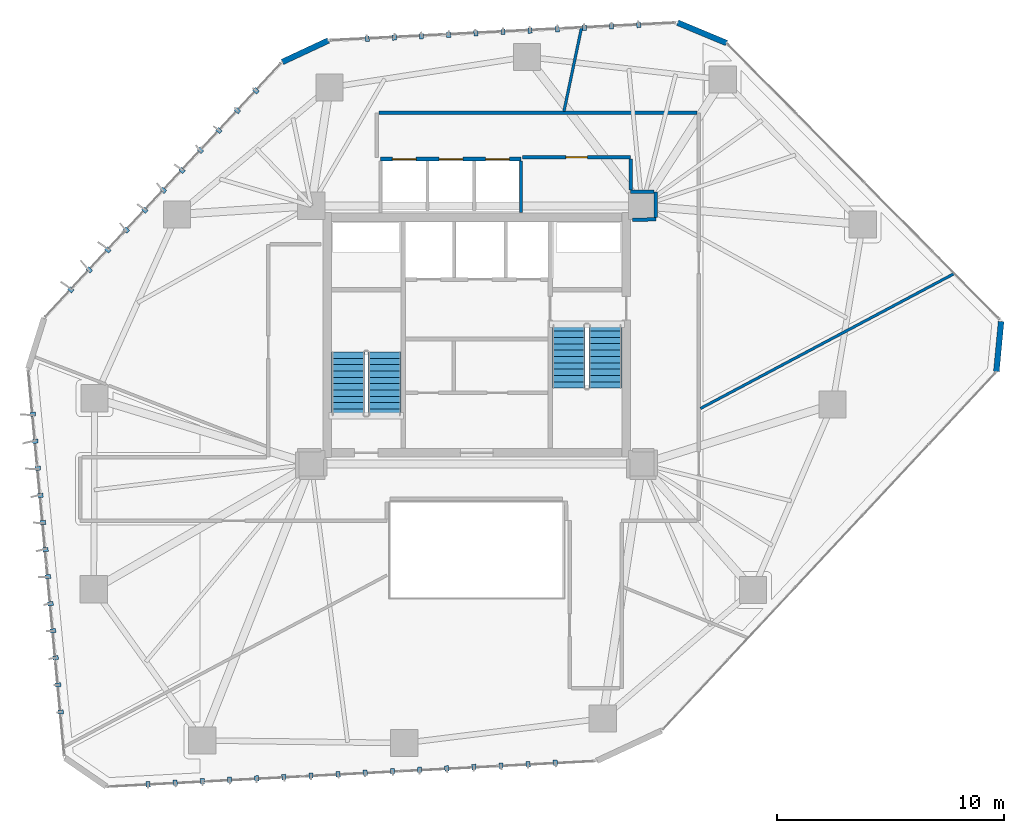
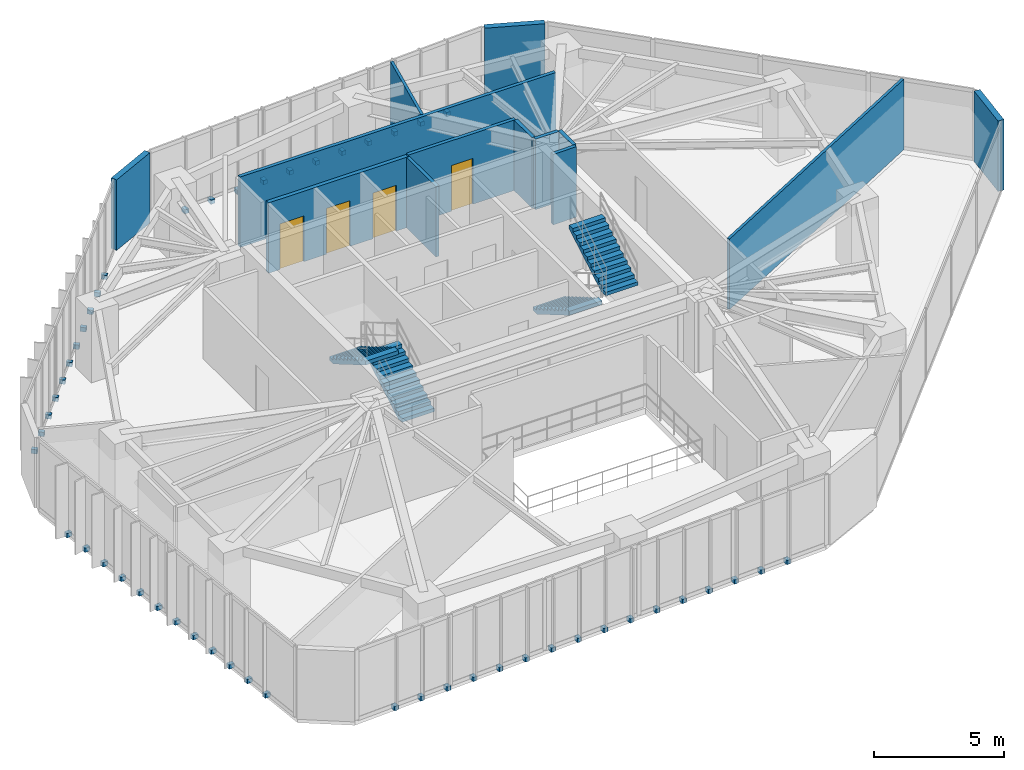
# One storey, part 20 of 23: 50 discrete accessories, 13 walls, 4 doors, 4 stair flights, 4 openings, 2 elements without a shape of their own.
"""IFC4 building model written with IfcOpenShell, lengths in metres."""

from ifc_helpers import new_model, si_unit, direction, frame, frame_2d, origin, origin_2d, place, context, subcontext, project, spatial, polyline, rectangle, outline, extrude, source, transform, mapped, material, layer, layer_set, type_object, type_shapes, element, fill, aggregate, save


model = new_model("IFC4")

# Units and contexts
model_context = context("Model", 3, precision=1e-05, world=origin(), true_north=direction((0.0, 1.0)))
body_context = subcontext(model_context, "Body", "Model", "MODEL_VIEW")
ifc_project = project(units=[si_unit("LENGTHUNIT", "METRE"), si_unit("AREAUNIT", "SQUARE_METRE"), si_unit("VOLUMEUNIT", "CUBIC_METRE"), si_unit("PLANEANGLEUNIT", "RADIAN"), si_unit("MASSUNIT", "GRAM", prefix="KILO")], contexts=[model_context])

# Site, building, storey
site_placement = place(None, origin())
site = spatial("IfcSite", under=ifc_project, at=site_placement, CompositionType="ELEMENT")
building_placement = place(site_placement, origin())
building = spatial("IfcBuilding", under=site, at=building_placement, Name="Talar Marvaseh", CompositionType="ELEMENT")
storey_placement = place(building_placement, frame((0.0, 0.0, 100.199951171875)))
storey = spatial("IfcBuildingStorey", under=building, at=storey_placement, Name="L25", CompositionType="ELEMENT", Elevation=100.199951171875)

# Walls
ifc_material_1 = material(Name="Precast concrete C45/55", Category="concrete")
ifc_layer_1 = layer(ifc_material_1, 0.2548828125)
ifc_layer_set_1 = layer_set([ifc_layer_1], Name="Precast concrete C45/55")
wall_type_1 = type_object("IfcWallType", Name="Chamfered Hexagonal Corner Pier Wall Z2 255", PredefinedType="SOLIDWALL", material=ifc_layer_set_1)
wall_1_placement = place(storey_placement, frame((17.4189453125, 43.24609375, 0.0), z_axis=(0.0, 0.0, 1.0), x_axis=(0.906316451712, 0.422599679788, 0.0)))
element("IfcWall", 1, at=wall_1_placement, inside=storey, type_object=wall_type_1, Name="L25 Chamfered Corner Limestone Pier 3", PredefinedType="SOLIDWALL", context=body_context, shape_type="SweptSolid", body=[
    extrude(rectangle(XDim=2.244873046875, YDim=0.2548828125, at=frame_2d((1.12255859375, 0.0))), origin(), (0.0, 0.0, 1.0), 3.31005859375),
])
wall_2_placement = place(storey_placement, frame((34.8720703125, 44.983154296875, 0.0), z_axis=(0.0, 0.0, 1.0), x_axis=(0.923021371097, -0.384748682257, 0.0)))
element("IfcWall", 2, at=wall_2_placement, inside=storey, type_object=wall_type_1, Name="L25 Chamfered Corner Limestone Pier 4", PredefinedType="SOLIDWALL", context=body_context, shape_type="SweptSolid", body=[
    extrude(rectangle(XDim=2.3408203125, YDim=0.2548828125, at=frame_2d((1.17041015625, 0.0))), origin(), (0.0, 0.0, 1.0), 3.31005859375),
])
wall_3_placement = place(storey_placement, frame((49.15185546875, 31.7919921875, 0.0), z_axis=(0.0, 0.0, 1.0), x_axis=(-0.0944972404, -0.995525123519, 0.0)))
element("IfcWall", 3, at=wall_3_placement, inside=storey, type_object=wall_type_1, Name="L25 Chamfered Corner Limestone Pier 5", PredefinedType="SOLIDWALL", context=body_context, shape_type="SweptSolid", body=[
    extrude(rectangle(XDim=2.216796875, YDim=0.2548828125, at=frame_2d((1.1083984375, 0.0))), origin(), (0.0, 0.0, 1.0), 3.31005859375),
])

# Wall, opening, door
ifc_material_2 = material(Name="Gypsum Board Partition Assembly")
ifc_layer_2 = layer(ifc_material_2, 0.155029296875)
ifc_layer_set_2 = layer_set([ifc_layer_2], Name="Gypsum Board Partition Assembly")
wall_type_2 = type_object("IfcWallType", Name="Corridor Fire-Rated Acoustic Partition 155", PredefinedType="PARTITIONING", material=ifc_layer_set_2)
wall_4_placement = place(storey_placement, frame((32.800048828125, 39.0400390625, 0.0), z_axis=(0.0, 0.0, 1.0), x_axis=(-1.0, 0.0, 0.0)))
wall_4 = element("IfcWall", 4, at=wall_4_placement, inside=storey, type_object=wall_type_2, Name="L25 Interior Partition Wall", PredefinedType="PARTITIONING", context=body_context, shape_type="SweptSolid", body=[
    extrude(rectangle(XDim=4.77001953125, YDim=0.155029296875, at=frame_2d((2.385009765625, 0.0))), origin(), (0.0, 0.0, 1.0), 3.31005859375),
])
opening_1_placement = place(wall_4_placement, frame((1.909912109375, 0.0, 0.0)))
opening_1 = element("IfcOpeningElement", 5, at=opening_1_placement, cuts=wall_4, Name="Opening DR-WC095", PredefinedType="OPENING", context=body_context, shape_type="SweptSolid", body=[
    extrude(rectangle(XDim=0.949951171875, YDim=2.14990234375, at=frame_2d((0.47509765625, 1.074951171875))), frame((0.0, 0.08740234375, 0.0), z_axis=(0.0, -1.0, 0.0), x_axis=(1.0, 0.0, 0.0)), (0.0, 0.0, 1.0), 0.175048828125),
])
ifc_material_3 = material(Name="Acoustic Engineered Oak Timber", Category="wood")
door_type_1 = type_object("IfcDoorType", Name="Washroom and Service Room Door 950x2150", OperationType="NOTDEFINED", PredefinedType="DOOR", material=ifc_material_3)
shared_shape_1 = source(origin(), body_context, "Body", "SweptSolid", [
    extrude(rectangle(XDim=0.949951171875, YDim=2.14990234375, at=frame_2d((0.47509765625, 1.074951171875))), frame((0.0, 0.02490234375, 0.0), z_axis=(0.0, -1.0, 0.0), x_axis=(1.0, 0.0, 0.0)), (0.0, 0.0, 1.0), 0.050048828125),
])
type_shapes(door_type_1, [shared_shape_1])
door_1_placement = place(opening_1_placement, origin())
door_1 = element("IfcDoor", 6, at=door_1_placement, inside=storey, type_object=door_type_1, Name="L25 WC Public Washrooms Door", OperationType="SINGLE_SWING_RIGHT", OverallHeight=2.14990234375, OverallWidth=0.949951171875, PredefinedType="DOOR", context=body_context, shape_type="MappedRepresentation", body=[
    mapped(shared_shape_1, transform((0.0, 0.0, 0.0), x_axis=(1.0, 0.0, 0.0), y_axis=(0.0, 1.0, 0.0), z_axis=(0.0, 0.0, 1.0), scale=1.0)),
])
fill(opening_1, door_1)

# Walls
wall_5_placement = place(storey_placement, frame((32.8701171875, 36.284912109375, 0.0), z_axis=(0.0, 0.0, 1.0), x_axis=(0.999895094683, 0.014484461652, 0.0)))
element("IfcWall", 7, at=wall_5_placement, inside=storey, type_object=wall_type_2, Name="L25 Interior Partition Wall", PredefinedType="PARTITIONING", context=body_context, shape_type="SweptSolid", body=[
    extrude(rectangle(XDim=1.044921875, YDim=0.155029296875, at=frame_2d((0.5224609375, 0.0))), origin(), (0.0, 0.0, 1.0), 3.31005859375),
])
wall_6_placement = place(storey_placement, frame((33.914794921875, 36.383544921875, 0.0), z_axis=(0.0, 0.0, 1.0), x_axis=(-0.003682817312, 0.999993218405, 0.0)))
element("IfcWall", 8, at=wall_6_placement, inside=storey, type_object=wall_type_2, Name="L25 Interior Partition Wall", PredefinedType="PARTITIONING", context=body_context, shape_type="SweptSolid", body=[
    extrude(rectangle(XDim=1.126953125, YDim=0.155029296875, at=frame_2d((0.5634765625, 0.0))), origin(), (0.0, 0.0, 1.0), 3.31005859375),
])
wall_7_placement = place(storey_placement, frame((33.8271484375, 37.510986328125, 0.0), z_axis=(0.0, 0.0, 1.0), x_axis=(-0.99999276797, 0.003803157663, 0.0)))
element("IfcWall", 9, at=wall_7_placement, inside=storey, type_object=wall_type_2, Name="L25 Interior Partition Wall", PredefinedType="PARTITIONING", context=body_context, shape_type="SweptSolid", body=[
    extrude(rectangle(XDim=1.027099609375, YDim=0.155029296875, at=frame_2d((0.513671875, 0.0))), origin(), (0.0, 0.0, 1.0), 3.31005859375),
])
wall_8_placement = place(storey_placement, frame((32.800048828125, 37.598388671875, 0.0), z_axis=(0.0, 0.0, 1.0), x_axis=(0.0, 1.0, 0.0)))
element("IfcWall", 10, at=wall_8_placement, inside=storey, type_object=wall_type_2, Name="L25 Interior Partition Wall", PredefinedType="PARTITIONING", context=body_context, shape_type="SweptSolid", body=[
    extrude(rectangle(XDim=1.358154296875, YDim=0.155029296875, at=frame_2d((0.67919921875, 0.0))), origin(), (0.0, 0.0, 1.0), 3.31005859375),
])
wall_9_placement = place(storey_placement, frame((21.68359375, 41.0, 0.0), z_axis=(0.0, 0.0, 1.0), x_axis=(1.0, 0.0, 0.0)))
element("IfcWall", 11, at=wall_9_placement, inside=storey, type_object=wall_type_2, Name="L25 Interior Partition Wall", PredefinedType="PARTITIONING", context=body_context, shape_type="SweptSolid", body=[
    extrude(rectangle(XDim=14.032958984375, YDim=0.155029296875, at=frame_2d((7.0166015625, 0.0))), origin(), (0.0, 0.0, 1.0), 3.31005859375),
])
ifc_layer_3 = layer(ifc_material_2, 0.1201171875)
ifc_layer_set_3 = layer_set([ifc_layer_3], Name="Gypsum Board Partition Assembly")
wall_type_3 = type_object("IfcWallType", Name="Demountable Studio Room Partition 120", PredefinedType="PARTITIONING", material=ifc_layer_set_3)
wall_10_placement = place(storey_placement, frame((35.883544921875, 27.954345703125, 0.0), z_axis=(0.0, 0.0, 1.0), x_axis=(0.883011620714, 0.469351124089, 0.0)))
element("IfcWall", 12, at=wall_10_placement, inside=storey, type_object=wall_type_3, Name="L25 Interior Partition Wall", PredefinedType="PARTITIONING", context=body_context, shape_type="SweptSolid", body=[
    extrude(rectangle(XDim=12.6650390625, YDim=0.1201171875, at=frame_2d((6.33251953125, 0.0))), origin(), (0.0, 0.0, 1.0), 3.31005859375),
])
wall_11_placement = place(storey_placement, frame((29.853515625, 41.063720703125, 0.0), z_axis=(0.0, 0.0, 1.0), x_axis=(0.205549538116, 0.978646712241, 0.0)))
element("IfcWall", 13, at=wall_11_placement, inside=storey, type_object=wall_type_3, Name="L25 Interior Partition Wall", PredefinedType="PARTITIONING", context=body_context, shape_type="SweptSolid", body=[
    extrude(rectangle(XDim=3.763916015625, YDim=0.1201171875, at=frame_2d((1.8818359375, 0.0))), origin(), (0.0, 0.0, 1.0), 3.31005859375),
])
ifc_layer_4 = layer(ifc_material_1, 0.14501953125)
ifc_layer_set_4 = layer_set([ifc_layer_4], Name="Precast concrete C45/55")
wall_type_4 = type_object("IfcWallType", Name="Fire-Rated Lift Divider Wall 145", PredefinedType="SOLIDWALL", material=ifc_layer_set_4)
wall_12_placement = place(storey_placement, frame((27.9599609375, 36.60009765625, 0.0), z_axis=(0.0, 0.0, 1.0), x_axis=(0.0, 1.0, 0.0)))
element("IfcWall", 14, at=wall_12_placement, inside=storey, type_object=wall_type_4, Name="L25 Low-Rise Bank East Wall", PredefinedType="SOLIDWALL", context=body_context, shape_type="SweptSolid", body=[
    extrude(rectangle(XDim=2.266357421875, YDim=0.14501953125, at=frame_2d((1.13330078125, 0.0))), origin(), (0.0, 0.0, 1.0), 3.31005859375),
])

# Wall, openings, doors
ifc_layer_5 = layer(ifc_material_1, 0.175048828125)
ifc_layer_set_5 = layer_set([ifc_layer_5], Name="Precast concrete C45/55")
wall_type_5 = type_object("IfcWallType", Name="Fire-Rated Lift Hoistway Enclosure Wall 175", PredefinedType="SOLIDWALL", material=ifc_layer_set_5)
wall_13_placement = place(storey_placement, frame((21.760009765625, 38.9599609375, 0.0), z_axis=(0.0, 0.0, 1.0), x_axis=(1.0, 0.0, 0.0)))
wall_13 = element("IfcWall", 15, at=wall_13_placement, inside=storey, type_object=wall_type_5, Name="L25 Low-Rise Lift Bank Front Wall", PredefinedType="SOLIDWALL", context=body_context, shape_type="SweptSolid", body=[
    extrude(rectangle(XDim=6.199951171875, YDim=0.175048828125, at=frame_2d((3.10009765625, 0.0))), origin(), (0.0, 0.0, 1.0), 3.31005859375),
])
opening_2_placement = place(wall_13_placement, frame((0.52001953125, 0.0, 0.0)))
opening_2 = element("IfcOpeningElement", 16, at=opening_2_placement, cuts=wall_13, Name="Opening LD-PLL1", PredefinedType="OPENING", context=body_context, shape_type="SweptSolid", body=[
    extrude(rectangle(XDim=1.050048828125, YDim=2.14990234375, at=frame_2d((0.52490234375, 1.074951171875))), frame((0.0, 0.09765625, 0.0), z_axis=(0.0, -1.0, 0.0), x_axis=(1.0, 0.0, 0.0)), (0.0, 0.0, 1.0), 0.195068359375),
])
opening_3_placement = place(wall_13_placement, frame((2.580078125, 0.0, 0.0)))
opening_3 = element("IfcOpeningElement", 17, at=opening_3_placement, cuts=wall_13, Name="Opening LD-PLL2", PredefinedType="OPENING", context=body_context, shape_type="SweptSolid", body=[
    extrude(rectangle(XDim=1.050048828125, YDim=2.14990234375, at=frame_2d((0.52490234375, 1.074951171875))), frame((0.0, 0.09765625, 0.0), z_axis=(0.0, -1.0, 0.0), x_axis=(1.0, 0.0, 0.0)), (0.0, 0.0, 1.0), 0.195068359375),
])
opening_4_placement = place(wall_13_placement, frame((4.639892578125, 0.0, 0.0)))
opening_4 = element("IfcOpeningElement", 18, at=opening_4_placement, cuts=wall_13, Name="Opening LD-PLL3", PredefinedType="OPENING", context=body_context, shape_type="SweptSolid", body=[
    extrude(rectangle(XDim=1.050048828125, YDim=2.14990234375, at=frame_2d((0.52490234375, 1.074951171875))), frame((0.0, 0.09765625, 0.0), z_axis=(0.0, -1.0, 0.0), x_axis=(1.0, 0.0, 0.0)), (0.0, 0.0, 1.0), 0.195068359375),
])
ifc_material_4 = material(Name="Stainless Steel Grade 316", Category="steel")
door_type_2 = type_object("IfcDoorType", Name="Automatic Sliding Lift Landing Door 1050x2150", OperationType="NOTDEFINED", PredefinedType="DOOR", material=ifc_material_4)
shared_shape_2 = source(origin(), body_context, "Body", "SweptSolid", [
    extrude(rectangle(XDim=1.050048828125, YDim=2.14990234375, at=frame_2d((0.52490234375, 1.074951171875))), frame((0.0, 0.02490234375, 0.0), z_axis=(0.0, -1.0, 0.0), x_axis=(1.0, 0.0, 0.0)), (0.0, 0.0, 1.0), 0.050048828125),
])
type_shapes(door_type_2, [shared_shape_2])
door_2_placement = place(opening_2_placement, origin())
door_2 = element("IfcDoor", 19, at=door_2_placement, inside=storey, type_object=door_type_2, Name="L25 Lift PL-L1 Sliding Landing Door", OperationType="SLIDING_TO_LEFT", OverallHeight=2.14990234375, OverallWidth=1.050048828125, PredefinedType="DOOR", context=body_context, shape_type="MappedRepresentation", body=[
    mapped(shared_shape_2, transform((0.0, 0.0, 0.0), x_axis=(1.0, 0.0, 0.0), y_axis=(0.0, 1.0, 0.0), z_axis=(0.0, 0.0, 1.0), scale=1.0)),
])
fill(opening_2, door_2)
door_3_placement = place(opening_3_placement, origin())
door_3 = element("IfcDoor", 20, at=door_3_placement, inside=storey, type_object=door_type_2, Name="L25 Lift PL-L2 Sliding Landing Door", OperationType="SLIDING_TO_LEFT", OverallHeight=2.14990234375, OverallWidth=1.050048828125, PredefinedType="DOOR", context=body_context, shape_type="MappedRepresentation", body=[
    mapped(shared_shape_2, transform((0.0, 0.0, 0.0), x_axis=(1.0, 0.0, 0.0), y_axis=(0.0, 1.0, 0.0), z_axis=(0.0, 0.0, 1.0), scale=1.0)),
])
fill(opening_3, door_3)
door_4_placement = place(opening_4_placement, origin())
door_4 = element("IfcDoor", 21, at=door_4_placement, inside=storey, type_object=door_type_2, Name="L25 Lift PL-L3 Sliding Landing Door", OperationType="SLIDING_TO_LEFT", OverallHeight=2.14990234375, OverallWidth=1.050048828125, PredefinedType="DOOR", context=body_context, shape_type="MappedRepresentation", body=[
    mapped(shared_shape_2, transform((0.0, 0.0, 0.0), x_axis=(1.0, 0.0, 0.0), y_axis=(0.0, 1.0, 0.0), z_axis=(0.0, 0.0, 1.0), scale=1.0)),
])
fill(opening_4, door_4)

# Stair, stair flights
ifc_material_5 = material(Name="Concrete C40/50", Category="concrete")
stair_type = type_object("IfcStairType", Name="Reinforced Concrete Half-Turn Exit Stair Type B", PredefinedType="HALF_TURN_STAIR", material=ifc_material_5)
stair_1_placement = place(storey_placement, origin())
stair_1 = element("IfcStair", 22, at=stair_1_placement, inside=storey, type_object=stair_type, Name="L25 Tower West Core Exit Stair", PredefinedType="HALF_TURN_STAIR")
ifc_layer_6 = layer(ifc_material_5, 0.159912109375)
ifc_layer_set_6 = layer_set([ifc_layer_6], Name="Concrete C40/50")
stair_flight_type = type_object("IfcStairFlightType", Name="Reinforced Concrete Straight Stair Flight 160", PredefinedType="STRAIGHT", material=ifc_layer_set_6)
stair_flight_1_placement = place(storey_placement, frame((21.93505859375, 27.64990234375, 0.0), z_axis=(0.0, 0.0, 1.0), x_axis=(0.0, 1.0, 0.0)))
stair_flight_1 = element("IfcStairFlight", 23, at=stair_flight_1_placement, type_object=stair_flight_type, Name="ST-1 flight 1", NumberOfRisers=11, NumberOfTreads=10, PredefinedType="STRAIGHT", RiserHeight=0.163636364, TreadLength=0.28, context=body_context, shape_type="SweptSolid", body=[
    extrude(outline(polyline([(0.0, 0.0), (0.0, 0.16357421875), (0.280029296875, 0.16357421875), (0.280029296875, 0.327392578125), (0.56005859375, 0.327392578125), (0.56005859375, 0.490966796875), (0.840087890625, 0.490966796875), (0.840087890625, 0.654541015625), (1.1201171875, 0.654541015625), (1.1201171875, 0.818115234375), (1.39990234375, 0.818115234375), (1.39990234375, 0.98193359375), (1.679931640625, 0.98193359375), (1.679931640625, 1.1455078125), (1.9599609375, 1.1455078125), (1.9599609375, 1.30908203125), (2.239990234375, 1.30908203125), (2.239990234375, 1.47265625), (2.52001953125, 1.47265625), (2.52001953125, 1.636474609375), (2.800048828125, 1.636474609375), (2.800048828125, 1.800048828125), (2.800048828125, 1.451171875), (0.31689453125, 0.0), (0.0, 0.0)])), frame((0.0, 0.72509765625, 0.0), z_axis=(0.0, -1.0, 0.0), x_axis=(1.0, 0.0, 0.0)), (0.0, 0.0, 1.0), 1.449951171875),
])
stair_flight_2_placement = place(storey_placement, frame((20.324951171875, 30.449951171875, 1.800048828125), z_axis=(0.0, 0.0, 1.0), x_axis=(0.0, -1.0, 0.0)))
stair_flight_2 = element("IfcStairFlight", 24, at=stair_flight_2_placement, type_object=stair_flight_type, Name="ST-1 flight 2", NumberOfRisers=11, NumberOfTreads=10, PredefinedType="STRAIGHT", RiserHeight=0.163636364, TreadLength=0.28, context=body_context, shape_type="SweptSolid", body=[
    extrude(outline(polyline([(0.0, 0.0), (0.0, 0.16357421875), (0.280029296875, 0.16357421875), (0.280029296875, 0.327392578125), (0.56005859375, 0.327392578125), (0.56005859375, 0.490966796875), (0.840087890625, 0.490966796875), (0.840087890625, 0.654541015625), (1.1201171875, 0.654541015625), (1.1201171875, 0.818115234375), (1.39990234375, 0.818115234375), (1.39990234375, 0.98193359375), (1.679931640625, 0.98193359375), (1.679931640625, 1.1455078125), (1.9599609375, 1.1455078125), (1.9599609375, 1.30908203125), (2.239990234375, 1.30908203125), (2.239990234375, 1.47265625), (2.52001953125, 1.47265625), (2.52001953125, 1.636474609375), (2.800048828125, 1.636474609375), (2.800048828125, 1.800048828125), (2.800048828125, 1.451171875), (0.31689453125, 0.0), (0.0, 0.0)])), frame((0.0, 0.72509765625, 0.0), z_axis=(0.0, -1.0, 0.0), x_axis=(1.0, 0.0, 0.0)), (0.0, 0.0, 1.0), 1.449951171875),
])
aggregate(stair_1, [stair_flight_1, stair_flight_2])

stair_2_placement = place(storey_placement, origin())
stair_2 = element("IfcStair", 25, at=stair_2_placement, inside=storey, type_object=stair_type, Name="L25 Tower East Core Exit Stair", PredefinedType="HALF_TURN_STAIR")
stair_flight_3_placement = place(storey_placement, frame((30.06494140625, 31.64990234375, 0.0), z_axis=(0.0, 0.0, 1.0), x_axis=(0.0, -1.0, 0.0)))
stair_flight_3 = element("IfcStairFlight", 26, at=stair_flight_3_placement, type_object=stair_flight_type, Name="ST-2 flight 1", NumberOfRisers=11, NumberOfTreads=10, PredefinedType="STRAIGHT", RiserHeight=0.163636364, TreadLength=0.28, context=body_context, shape_type="SweptSolid", body=[
    extrude(outline(polyline([(0.0, 0.0), (0.0, 0.16357421875), (0.280029296875, 0.16357421875), (0.280029296875, 0.327392578125), (0.56005859375, 0.327392578125), (0.56005859375, 0.490966796875), (0.840087890625, 0.490966796875), (0.840087890625, 0.654541015625), (1.1201171875, 0.654541015625), (1.1201171875, 0.818115234375), (1.39990234375, 0.818115234375), (1.39990234375, 0.98193359375), (1.679931640625, 0.98193359375), (1.679931640625, 1.1455078125), (1.9599609375, 1.1455078125), (1.9599609375, 1.30908203125), (2.239990234375, 1.30908203125), (2.239990234375, 1.47265625), (2.52001953125, 1.47265625), (2.52001953125, 1.636474609375), (2.800048828125, 1.636474609375), (2.800048828125, 1.800048828125), (2.800048828125, 1.451171875), (0.31689453125, 0.0), (0.0, 0.0)])), frame((0.0, 0.72509765625, 0.0), z_axis=(0.0, -1.0, 0.0), x_axis=(1.0, 0.0, 0.0)), (0.0, 0.0, 1.0), 1.449951171875),
])
stair_flight_4_placement = place(storey_placement, frame((31.675048828125, 28.85009765625, 1.800048828125), z_axis=(0.0, 0.0, 1.0), x_axis=(0.0, 1.0, 0.0)))
stair_flight_4 = element("IfcStairFlight", 27, at=stair_flight_4_placement, type_object=stair_flight_type, Name="ST-2 flight 2", NumberOfRisers=11, NumberOfTreads=10, PredefinedType="STRAIGHT", RiserHeight=0.163636364, TreadLength=0.28, context=body_context, shape_type="SweptSolid", body=[
    extrude(outline(polyline([(0.0, 0.0), (0.0, 0.16357421875), (0.280029296875, 0.16357421875), (0.280029296875, 0.327392578125), (0.56005859375, 0.327392578125), (0.56005859375, 0.490966796875), (0.840087890625, 0.490966796875), (0.840087890625, 0.654541015625), (1.1201171875, 0.654541015625), (1.1201171875, 0.818115234375), (1.39990234375, 0.818115234375), (1.39990234375, 0.98193359375), (1.679931640625, 0.98193359375), (1.679931640625, 1.1455078125), (1.9599609375, 1.1455078125), (1.9599609375, 1.30908203125), (2.239990234375, 1.30908203125), (2.239990234375, 1.47265625), (2.52001953125, 1.47265625), (2.52001953125, 1.636474609375), (2.800048828125, 1.636474609375), (2.800048828125, 1.800048828125), (2.800048828125, 1.451171875), (0.31689453125, 0.0), (0.0, 0.0)])), frame((0.0, 0.72509765625, 0.0), z_axis=(0.0, -1.0, 0.0), x_axis=(1.0, 0.0, 0.0)), (0.0, 0.0, 1.0), 1.449951171875),
])
aggregate(stair_2, [stair_flight_3, stair_flight_4])

# Discrete accessories
discrete_accessory_type = type_object("IfcDiscreteAccessoryType", Name="Stainless Slab-Edge Fin Mounting Bracket", PredefinedType="BRACKET", material=ifc_material_4)
shared_shape_3 = source(origin(), body_context, "Body", "SweptSolid", [
    extrude(rectangle(XDim=0.239990234375, YDim=0.179931640625, at=origin_2d()), origin(), (0.0, 0.0, 1.0), 0.199951171875),
])
type_shapes(discrete_accessory_type, [shared_shape_3])
for number, where, z_axis, x_axis, name in (
    (28, (7.638671875, 14.55615234375, -0.1796875), (0.0, 0.0, 1.0), (-0.995643710507, -0.093239485886, 0.0), "L25 Vertical Fin Slab-Edge Bracket"),
    (29, (7.52685546875, 15.7509765625, -0.1796875), (0.0, 0.0, 1.0), (-0.995643710507, -0.093239485886, 0.0), "L25 Vertical Fin Slab-Edge Bracket"),
    (30, (7.4150390625, 16.94580078125, -0.1796875), (0.0, 0.0, 1.0), (-0.995643710507, -0.093239485886, 0.0), "L25 Vertical Fin Slab-Edge Bracket"),
    (31, (7.30322265625, 18.140380859375, -0.1796875), (0.0, 0.0, 1.0), (-0.995643710507, -0.093239485886, 0.0), "L25 Vertical Fin Slab-Edge Bracket"),
    (32, (7.19140625, 19.335205078125, -0.1796875), (0.0, 0.0, 1.0), (-0.995643710507, -0.093239485886, 0.0), "L25 Vertical Fin Slab-Edge Bracket"),
    (33, (7.07958984375, 20.530029296875, -0.1796875), (0.0, 0.0, 1.0), (-0.995643710507, -0.093239485886, 0.0), "L25 Vertical Fin Slab-Edge Bracket"),
    (34, (6.9677734375, 21.724853515625, -0.1796875), (0.0, 0.0, 1.0), (-0.995643710507, -0.093239485886, 0.0), "L25 Vertical Fin Slab-Edge Bracket"),
    (35, (6.85595703125, 22.919677734375, -0.1796875), (0.0, 0.0, 1.0), (-0.995643710507, -0.093239485886, 0.0), "L25 Vertical Fin Slab-Edge Bracket"),
    (36, (6.744140625, 24.114501953125, -0.1796875), (0.0, 0.0, 1.0), (-0.995643710507, -0.093239485886, 0.0), "L25 Vertical Fin Slab-Edge Bracket"),
    (37, (6.63232421875, 25.30908203125, -0.1796875), (0.0, 0.0, 1.0), (-0.995643710507, -0.093239485886, 0.0), "L25 Vertical Fin Slab-Edge Bracket"),
    (38, (6.5205078125, 26.50390625, -0.1796875), (0.0, 0.0, 1.0), (-0.995643710507, -0.093239485886, 0.0), "L25 Vertical Fin Slab-Edge Bracket"),
    (39, (6.40869140625, 27.69873046875, -0.1796875), (0.0, 0.0, 1.0), (-0.995643710507, -0.093239485886, 0.0), "L25 Vertical Fin Slab-Edge Bracket"),
    (40, (8.0869140625, 33.19189453125, -0.1796875), (0.0, 0.0, 1.0), (-0.732186373775, 0.681104334195, 0.0), "L25 Vertical Fin Slab-Edge Bracket"),
    (41, (8.904296875, 34.070556640625, -0.1796875), (0.0, 0.0, 1.0), (-0.732186373775, 0.681104334195, 0.0), "L25 Vertical Fin Slab-Edge Bracket"),
    (42, (9.7216796875, 34.94921875, -0.1796875), (0.0, 0.0, 1.0), (-0.732186373775, 0.681104334195, 0.0), "L25 Vertical Fin Slab-Edge Bracket"),
    (43, (10.538818359375, 35.82763671875, -0.1796875), (0.0, 0.0, 1.0), (-0.732186373775, 0.681104334195, 0.0), "L25 Vertical Fin Slab-Edge Bracket"),
    (44, (11.356201171875, 36.706298828125, -0.1796875), (0.0, 0.0, 1.0), (-0.732186373775, 0.681104334195, 0.0), "L25 Vertical Fin Slab-Edge Bracket"),
    (45, (12.173583984375, 37.584716796875, -0.1796875), (0.0, 0.0, 1.0), (-0.732186373775, 0.681104334195, 0.0), "L25 Vertical Fin Slab-Edge Bracket"),
    (46, (12.990966796875, 38.46337890625, -0.1796875), (0.0, 0.0, 1.0), (-0.732186373775, 0.681104334195, 0.0), "L25 Vertical Fin Slab-Edge Bracket"),
    (47, (13.808349609375, 39.342041015625, -0.1796875), (0.0, 0.0, 1.0), (-0.732186373775, 0.681104334195, 0.0), "L25 Vertical Fin Slab-Edge Bracket"),
    (48, (14.625732421875, 40.220703125, -0.1796875), (0.0, 0.0, 1.0), (-0.732186373775, 0.681104334195, 0.0), "L25 Vertical Fin Slab-Edge Bracket"),
    (49, (15.443115234375, 41.09912109375, -0.1796875), (0.0, 0.0, 1.0), (-0.732186373775, 0.681104334195, 0.0), "L25 Vertical Fin Slab-Edge Bracket"),
    (50, (16.260498046875, 41.977783203125, -0.1796875), (0.0, 0.0, 1.0), (-0.732186373775, 0.681104334195, 0.0), "L25 Vertical Fin Slab-Edge Bracket"),
    (51, (21.169921875, 44.26708984375, -0.1796875), (0.0, 0.0, 1.0), (-0.05111586135, 0.998692729882, 0.0), "L25 Vertical Fin Slab-Edge Bracket"),
    (52, (22.3681640625, 44.328369140625, -0.1796875), (0.0, 0.0, 1.0), (-0.05111586135, 0.998692729882, 0.0), "L25 Vertical Fin Slab-Edge Bracket"),
    (53, (23.566650390625, 44.389892578125, -0.1796875), (0.0, 0.0, 1.0), (-0.05111586135, 0.998692729882, 0.0), "L25 Vertical Fin Slab-Edge Bracket"),
    (54, (24.76513671875, 44.451171875, -0.1796875), (0.0, 0.0, 1.0), (-0.05111586135, 0.998692729882, 0.0), "L25 Vertical Fin Slab-Edge Bracket"),
    (55, (25.96337890625, 44.5126953125, -0.1796875), (0.0, 0.0, 1.0), (-0.05111586135, 0.998692729882, 0.0), "L25 Vertical Fin Slab-Edge Bracket"),
    (56, (27.162109375, 44.573974609375, -0.1796875), (0.0, 0.0, 1.0), (-0.05111586135, 0.998692729882, 0.0), "L25 Vertical Fin Slab-Edge Bracket"),
    (57, (28.3603515625, 44.635498046875, -0.1796875), (0.0, 0.0, 1.0), (-0.05111586135, 0.998692729882, 0.0), "L25 Vertical Fin Slab-Edge Bracket"),
    (58, (29.558837890625, 44.69677734375, -0.1796875), (0.0, 0.0, 1.0), (-0.05111586135, 0.998692729882, 0.0), "L25 Vertical Fin Slab-Edge Bracket"),
    (59, (30.757080078125, 44.75830078125, -0.1796875), (0.0, 0.0, 1.0), (-0.05111586135, 0.998692729882, 0.0), "L25 Vertical Fin Slab-Edge Bracket"),
    (60, (31.955810546875, 44.819580078125, -0.1796875), (0.0, 0.0, 1.0), (-0.05111586135, 0.998692729882, 0.0), "L25 Vertical Fin Slab-Edge Bracket"),
    (61, (33.154052734375, 44.880859375, -0.1796875), (0.0, 0.0, 1.0), (-0.05111586135, 0.998692729882, 0.0), "L25 Vertical Fin Slab-Edge Bracket"),
    (62, (29.47314453125, 12.314697265625, -0.1796875), (0.0, 0.0, 1.0), (0.052510249179, -0.998620385197, 0.0), "L25 Vertical Fin Slab-Edge Bracket"),
    (63, (28.27490234375, 12.251708984375, -0.1796875), (0.0, 0.0, 1.0), (0.052510249179, -0.998620385197, 0.0), "L25 Vertical Fin Slab-Edge Bracket"),
    (64, (27.076416015625, 12.188720703125, -0.1796875), (0.0, 0.0, 1.0), (0.052510249179, -0.998620385197, 0.0), "L25 Vertical Fin Slab-Edge Bracket"),
    (65, (25.878173828125, 12.125732421875, -0.1796875), (0.0, 0.0, 1.0), (0.052510249179, -0.998620385197, 0.0), "L25 Vertical Fin Slab-Edge Bracket"),
    (66, (24.6796875, 12.062744140625, -0.1796875), (0.0, 0.0, 1.0), (0.052510249179, -0.998620385197, 0.0), "L25 Vertical Fin Slab-Edge Bracket"),
    (67, (23.4814453125, 11.999755859375, -0.1796875), (0.0, 0.0, 1.0), (0.052510249179, -0.998620385197, 0.0), "L25 Vertical Fin Slab-Edge Bracket"),
    (68, (22.283203125, 11.936767578125, -0.1796875), (0.0, 0.0, 1.0), (0.052510249179, -0.998620385197, 0.0), "L25 Vertical Fin Slab-Edge Bracket"),
    (69, (21.084716796875, 11.873779296875, -0.1796875), (0.0, 0.0, 1.0), (0.052510249179, -0.998620385197, 0.0), "L25 Vertical Fin Slab-Edge Bracket"),
    (70, (19.886474609375, 11.810791015625, -0.1796875), (0.0, 0.0, 1.0), (0.052510249179, -0.998620385197, 0.0), "L25 Vertical Fin Slab-Edge Bracket"),
    (71, (18.68798828125, 11.747802734375, -0.1796875), (0.0, 0.0, 1.0), (0.052510249179, -0.998620385197, 0.0), "L25 Vertical Fin Slab-Edge Bracket"),
    (72, (17.48974609375, 11.684814453125, -0.1796875), (0.0, 0.0, 1.0), (0.052510249179, -0.998620385197, 0.0), "L25 Vertical Fin Slab-Edge Bracket"),
    (73, (16.291259765625, 11.621826171875, -0.1796875), (0.0, 0.0, 1.0), (0.052510249179, -0.998620385197, 0.0), "L25 Vertical Fin Slab-Edge Bracket"),
    (74, (15.093017578125, 11.558837890625, -0.1796875), (0.0, 0.0, 1.0), (0.052510249179, -0.998620385197, 0.0), "L25 Vertical Fin Slab-Edge Bracket"),
    (75, (13.89453125, 11.495849609375, -0.1796875), (0.0, 0.0, 1.0), (0.052510249179, -0.998620385197, 0.0), "L25 Vertical Fin Slab-Edge Bracket"),
    (76, (12.6962890625, 11.432861328125, -0.1796875), (0.0, 0.0, 1.0), (0.052510249179, -0.998620385197, 0.0), "L25 Vertical Fin Slab-Edge Bracket"),
    (77, (11.498046875, 11.369873046875, -0.1796875), (0.0, 0.0, 1.0), (0.052510249179, -0.998620385197, 0.0), "L25 Vertical Fin Slab-Edge Bracket"),
):
    element("IfcDiscreteAccessory", number, at=place(storey_placement, frame(where, z_axis=z_axis, x_axis=x_axis)), inside=storey, type_object=discrete_accessory_type, Name=name, PredefinedType="BRACKET", context=body_context, shape_type="MappedRepresentation", body=[
        mapped(shared_shape_3, transform((0.0, 0.0, 0.0), x_axis=(1.0, 0.0, 0.0), y_axis=(0.0, 1.0, 0.0), z_axis=(0.0, 0.0, 1.0), scale=1.0)),
    ])

save(model, "model.ifc")
